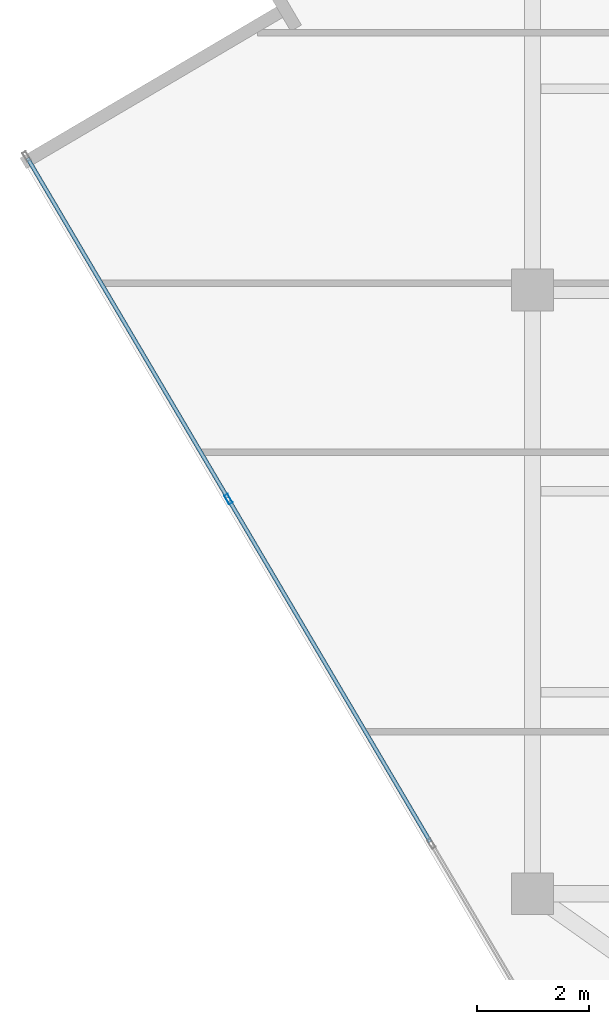
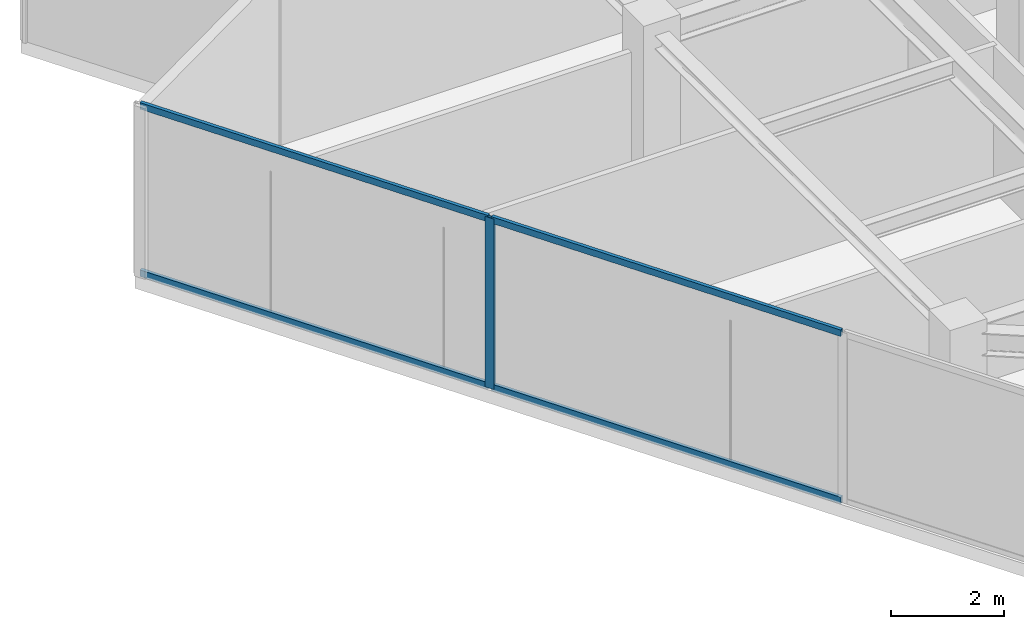
# One storey, part 4 of 20: 5 members, 1 element without a shape of its own.
"""IFC4 building model written with IfcOpenShell, lengths in metres."""

from ifc_helpers import new_model, si_unit, direction, frame, origin, origin_2d, place, context, subcontext, project, spatial, hollow_rectangle, extrude, source, transform, mapped, material, material_profile, profile_set, type_object, type_shapes, element, aggregate, save


model = new_model("IFC4")

# Units and contexts
model_context = context("Model", 3, precision=1e-05, world=origin(), true_north=direction((0.0, 1.0)))
body_context = subcontext(model_context, "Body", "Model", "MODEL_VIEW")
ifc_project = project(units=[si_unit("LENGTHUNIT", "METRE"), si_unit("AREAUNIT", "SQUARE_METRE"), si_unit("VOLUMEUNIT", "CUBIC_METRE"), si_unit("PLANEANGLEUNIT", "RADIAN"), si_unit("MASSUNIT", "GRAM", prefix="KILO")], contexts=[model_context])

# Site, building, storey
site_placement = place(None, origin())
site = spatial("IfcSite", under=ifc_project, at=site_placement, CompositionType="ELEMENT")
building_placement = place(site_placement, origin())
building = spatial("IfcBuilding", under=site, at=building_placement, Name="Krantzveldt Concourse Tower", CompositionType="ELEMENT")
storey_placement = place(building_placement, frame((0.0, 0.0, 295.050048828125)))
storey = spatial("IfcBuildingStorey", under=building, at=storey_placement, Name="L72", CompositionType="ELEMENT", Elevation=295.050048828125)

# Curtain wall, members
ifc_material = material(Name="Anodised aluminium 6063-T6", Category="aluminium")
curtain_wall_type = type_object("IfcCurtainWallType", Name="CW4", PredefinedType="USERDEFINED", material=ifc_material)
curtain_wall_placement = place(storey_placement, origin())
curtain_wall = element("IfcCurtainWall", 1, at=curtain_wall_placement, inside=storey, type_object=curtain_wall_type, Name="CW-L72-F04", ObjectType="UNITISED CURTAIN WALL", PredefinedType="USERDEFINED")
ifc_material_profile_1 = material_profile(ifc_material, hollow_rectangle(XDim=0.070068359375, YDim=0.179931640625, WallThickness=0.0048828125, at=origin_2d()), Name="Anodised aluminium 6063-T6", Category="aluminium")
ifc_profile_set_1 = profile_set([ifc_material_profile_1], Name="Anodised aluminium 6063-T6 - ALU-MULL 180x70x5")
member_type_1 = type_object("IfcMemberType", Name="CW-MUL-180", PredefinedType="MULLION", material=ifc_profile_set_1)
shared_shape_1 = source(origin(), body_context, "Body", "SweptSolid", [
    extrude(hollow_rectangle(XDim=0.070068359375, YDim=0.179931640625, WallThickness=0.0048828125, at=origin_2d()), origin(), (0.0, 0.0, 1.0), 3.669921875),
])
type_shapes(member_type_1, [shared_shape_1])
member_1_placement = place(storey_placement, frame((15.560791015625, 22.95849609375, 0.0), z_axis=(0.0, 0.0, 1.0), x_axis=(0.861629171479, 0.507538344223, 0.0)))
member_1 = element("IfcMember", 2, at=member_1_placement, type_object=member_type_1, Name="CW-Z56 mullion 2", PredefinedType="MULLION", context=body_context, shape_type="MappedRepresentation", body=[
    mapped(shared_shape_1, transform((0.0, 0.0, 0.0), x_axis=(1.0, 0.0, 0.0), y_axis=(0.0, 1.0, 0.0), z_axis=(0.0, 0.0, 1.0), scale=1.0)),
])
ifc_material_profile_2 = material_profile(ifc_material, hollow_rectangle(XDim=0.070068359375, YDim=0.139892578125, WallThickness=0.0048828125, at=origin_2d()), Name="Anodised aluminium 6063-T6", Category="aluminium")
ifc_profile_set_2 = profile_set([ifc_material_profile_2], Name="Anodised aluminium 6063-T6 - ALU-TRAN 140x70x5")
member_type_2 = type_object("IfcMemberType", Name="CW-TRN-150", PredefinedType="USERDEFINED", material=ifc_profile_set_2)
shared_shape_2 = source(origin(), body_context, "Body", "SweptSolid", [
    extrude(hollow_rectangle(XDim=0.070068359375, YDim=0.139892578125, WallThickness=0.0048828125, at=origin_2d()), origin(), (0.0, 0.0, 1.0), 7.044921875),
])
member_2_placement = place(storey_placement, frame((11.96728515625, 29.058837890625, 0.034912109375), z_axis=(0.507553124405, -0.861620465116, 0.0), x_axis=(0.861620465116, 0.507553124405, 0.0)))
member_2 = element("IfcMember", 3, at=member_2_placement, type_object=member_type_2, Name="CW-Z56 transom 1.1", ObjectType="TRANSOM", PredefinedType="USERDEFINED", context=body_context, shape_type="MappedRepresentation", body=[
    mapped(shared_shape_2, transform((0.0, 0.0, 0.0), x_axis=(1.0, 0.0, 0.0), y_axis=(0.0, 1.0, 0.0), z_axis=(0.0, 0.0, 1.0), scale=1.0)),
])
member_3_placement = place(storey_placement, frame((11.96728515625, 29.058837890625, 3.635009765625), z_axis=(0.507553124405, -0.861620465116, 0.0), x_axis=(0.861620465116, 0.507553124405, 0.0)))
member_3 = element("IfcMember", 4, at=member_3_placement, type_object=member_type_2, Name="CW-Z56 transom 1.2", ObjectType="TRANSOM", PredefinedType="USERDEFINED", context=body_context, shape_type="MappedRepresentation", body=[
    mapped(shared_shape_2, transform((0.0, 0.0, 0.0), x_axis=(1.0, 0.0, 0.0), y_axis=(0.0, 1.0, 0.0), z_axis=(0.0, 0.0, 1.0), scale=1.0)),
])
shared_shape_3 = source(origin(), body_context, "Body", "SweptSolid", [
    extrude(hollow_rectangle(XDim=0.070068359375, YDim=0.139892578125, WallThickness=0.0048828125, at=origin_2d()), origin(), (0.0, 0.0, 1.0), 7.080078125),
])
type_shapes(member_type_2, [shared_shape_2, shared_shape_3])
member_4_placement = place(storey_placement, frame((15.578369140625, 22.928466796875, 0.034912109375), z_axis=(0.507551986665, -0.861621135321, 0.0), x_axis=(0.861621135321, 0.507551986665, 0.0)))
member_4 = element("IfcMember", 5, at=member_4_placement, type_object=member_type_2, Name="CW-Z56 transom 2.1", ObjectType="TRANSOM", PredefinedType="USERDEFINED", context=body_context, shape_type="MappedRepresentation", body=[
    mapped(shared_shape_3, transform((0.0, 0.0, 0.0), x_axis=(1.0, 0.0, 0.0), y_axis=(0.0, 1.0, 0.0), z_axis=(0.0, 0.0, 1.0), scale=1.0)),
])
member_5_placement = place(storey_placement, frame((15.578369140625, 22.928466796875, 3.635009765625), z_axis=(0.507551986665, -0.861621135321, 0.0), x_axis=(0.861621135321, 0.507551986665, 0.0)))
member_5 = element("IfcMember", 6, at=member_5_placement, type_object=member_type_2, Name="CW-Z56 transom 2.2", ObjectType="TRANSOM", PredefinedType="USERDEFINED", context=body_context, shape_type="MappedRepresentation", body=[
    mapped(shared_shape_3, transform((0.0, 0.0, 0.0), x_axis=(1.0, 0.0, 0.0), y_axis=(0.0, 1.0, 0.0), z_axis=(0.0, 0.0, 1.0), scale=1.0)),
])
aggregate(curtain_wall, [member_1, member_2, member_3, member_4, member_5])

save(model, "model.ifc")
